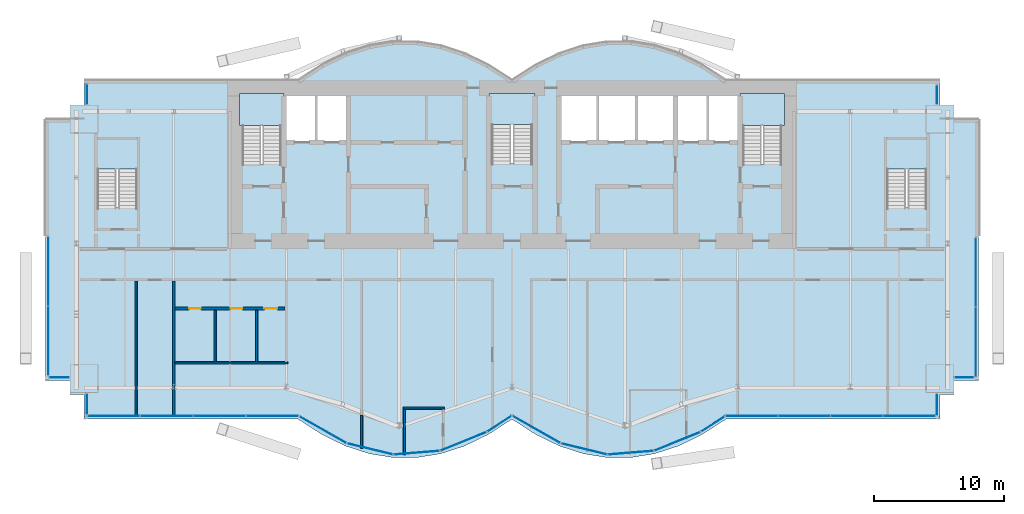
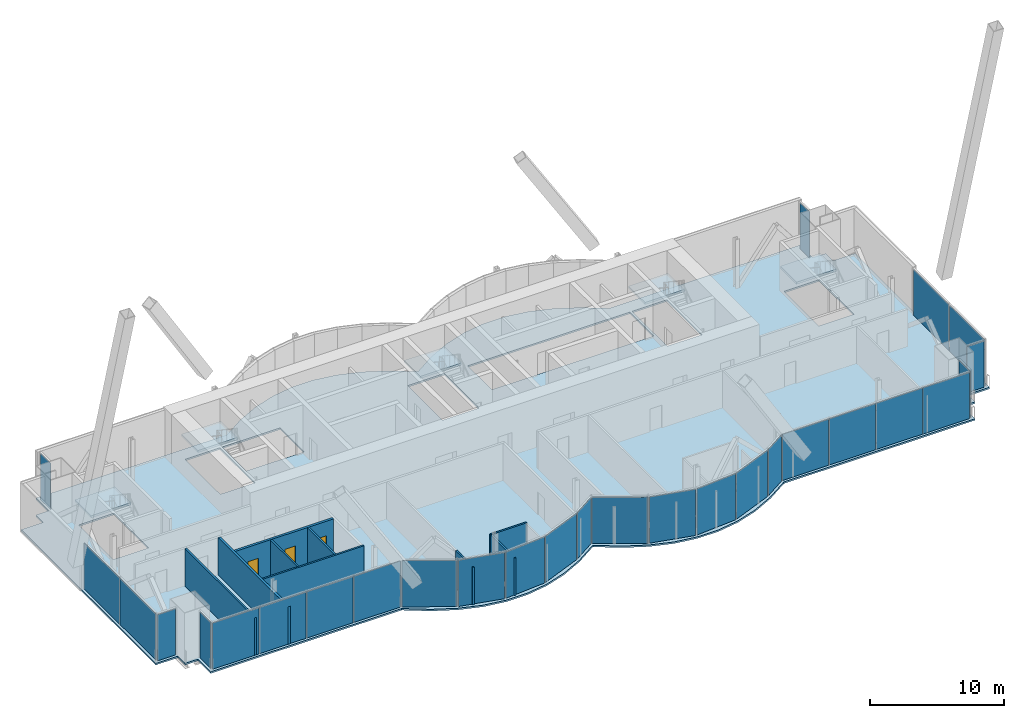
# One storey, part 15 of 22: 28 plates, 9 walls, 6 slabs, 3 doors, 3 openings, 17 elements without a shape of their own.
"""IFC4 building model written with IfcOpenShell, lengths in metres."""

from ifc_helpers import new_model, si_unit, direction, frame, frame_2d, origin, origin_2d, place, context, subcontext, project, spatial, polyline, rectangle, outline, extrude, material, layer, layer_set, type_object, element, fill, aggregate, save


model = new_model("IFC4")

# Units and contexts
model_context = context("Model", 3, precision=1e-05, world=origin(), true_north=direction((0.0, 1.0)))
body_context = subcontext(model_context, "Body", "Model", "MODEL_VIEW")
ifc_project = project(units=[si_unit("LENGTHUNIT", "METRE"), si_unit("AREAUNIT", "SQUARE_METRE"), si_unit("VOLUMEUNIT", "CUBIC_METRE"), si_unit("PLANEANGLEUNIT", "RADIAN"), si_unit("MASSUNIT", "GRAM", prefix="KILO")], contexts=[model_context])

# Site, building, storey
site_placement = place(None, origin())
site = spatial("IfcSite", under=ifc_project, at=site_placement, CompositionType="ELEMENT")
building_placement = place(site_placement, origin())
building = spatial("IfcBuilding", under=site, at=building_placement, Name="Bicima Exchange Tower", CompositionType="ELEMENT")
storey_placement = place(building_placement, frame((0.0, 0.0, 315.5)))
storey = spatial("IfcBuildingStorey", under=building, at=storey_placement, Name="L71", CompositionType="ELEMENT", Elevation=315.5)

# Slab
ifc_material_1 = material(Name="Concrete C40/50", Category="concrete")
ifc_layer_1 = layer(ifc_material_1, 0.14990234375)
ifc_layer_set_1 = layer_set([ifc_layer_1], Name="Concrete C40/50")
slab_type_1 = type_object("IfcSlabType", Name="Composite floor slab 150", PredefinedType="FLOOR", material=ifc_layer_set_1)
slab_1_placement = place(storey_placement, frame((0.0, 0.0, -0.14990234375)))
element("IfcSlab", 1, at=slab_1_placement, inside=storey, type_object=slab_type_1, Name="Floor slab", PredefinedType="FLOOR", context=body_context, shape_type="SweptSolid", body=[
    extrude(outline(polyline([(-36.0, -23.139892578125), (-36.0, -3.0), (-34.10009765625, -3.0), (-34.10009765625, -1.89990234375), (-33.0, -1.89990234375), (-33.0, 0.0), (-16.5, 0.0), (-14.666748046875, 1.185302734375), (-12.833251953125, 2.07421875), (-11.0, 2.666748046875), (-9.166748046875, 2.962890625), (-7.333251953125, 2.962890625), (-5.5, 2.666748046875), (-3.666748046875, 2.07421875), (-1.833251953125, 1.185302734375), (0.0, 0.0), (1.833251953125, 1.185302734375), (3.666748046875, 2.07421875), (5.5, 2.666748046875), (7.333251953125, 2.962890625), (9.166748046875, 2.962890625), (11.0, 2.666748046875), (12.833251953125, 2.07421875), (14.666748046875, 1.185302734375), (16.5, 0.0), (33.0, 0.0), (33.0, -1.89990234375), (34.10009765625, -1.89990234375), (34.10009765625, -3.0), (36.0, -3.0), (36.0, -23.139892578125), (34.10009765625, -23.139892578125), (34.10009765625, -24.239990234375), (33.0, -24.239990234375), (33.0, -26.139892578125), (16.5, -26.139892578125), (14.666748046875, -27.3251953125), (12.833251953125, -28.214111328125), (11.0, -28.806640625), (9.166748046875, -29.10302734375), (7.333251953125, -29.10302734375), (5.5, -28.806640625), (3.666748046875, -28.214111328125), (1.833251953125, -27.3251953125), (0.0, -26.139892578125), (-1.833251953125, -27.3251953125), (-3.666748046875, -28.214111328125), (-5.5, -28.806640625), (-7.333251953125, -29.10302734375), (-9.166748046875, -29.10302734375), (-11.0, -28.806640625), (-12.833251953125, -28.214111328125), (-14.666748046875, -27.3251953125), (-16.5, -26.139892578125), (-33.0, -26.139892578125), (-33.0, -24.239990234375), (-34.10009765625, -24.239990234375), (-34.10009765625, -23.139892578125), (-36.0, -23.139892578125)]), holes=[polyline([(-28.925048828125, -9.824951171875), (-28.925048828125, -4.625), (-31.97509765625, -4.625), (-31.97509765625, -9.824951171875), (-28.925048828125, -9.824951171875)]), polyline([(-20.800048828125, -6.449951171875), (-17.800048828125, -6.449951171875), (-17.800048828125, -1.199951171875), (-20.800048828125, -1.199951171875), (-20.800048828125, -6.449951171875)]), polyline([(-1.574951171875, -6.39990234375), (1.574951171875, -6.39990234375), (1.574951171875, -1.199951171875), (-1.574951171875, -1.199951171875), (-1.574951171875, -6.39990234375)]), polyline([(-12.60009765625, -1.199951171875), (-15.10009765625, -1.199951171875), (-17.60009765625, -1.199951171875), (-17.60009765625, -4.800048828125), (-15.10009765625, -4.800048828125), (-12.60009765625, -4.800048828125), (-12.60009765625, -1.199951171875)]), polyline([(3.60009765625, -4.800048828125), (6.60009765625, -4.800048828125), (9.60009765625, -4.800048828125), (12.60009765625, -4.800048828125), (15.10009765625, -4.800048828125), (17.60009765625, -4.800048828125), (17.60009765625, -1.199951171875), (15.10009765625, -1.199951171875), (12.60009765625, -1.199951171875), (9.60009765625, -1.199951171875), (6.60009765625, -1.199951171875), (3.60009765625, -1.199951171875), (3.60009765625, -4.800048828125)]), polyline([(31.97509765625, -9.824951171875), (31.97509765625, -4.625), (28.925048828125, -4.625), (28.925048828125, -9.824951171875), (31.97509765625, -9.824951171875)]), polyline([(17.800048828125, -6.449951171875), (20.800048828125, -6.449951171875), (20.800048828125, -1.199951171875), (17.800048828125, -1.199951171875), (17.800048828125, -6.449951171875)])]), origin(), (0.0, 0.0, 1.0), 0.14990234375),
])

# Curtain wall, plate
ifc_material_2 = material(Name="Anodised bronze aluminium", Category="aluminium")
curtain_wall_type_1 = type_object("IfcCurtainWallType", Name="End face glass wall", PredefinedType="NOTDEFINED", material=ifc_material_2)
curtain_wall_1_placement = place(storey_placement, origin())
curtain_wall_1 = element("IfcCurtainWall", 2, at=curtain_wall_1_placement, inside=storey, type_object=curtain_wall_type_1, Name="End face glass wall L71 run 2", PredefinedType="NOTDEFINED")
ifc_material_3 = material(Name="Bronze tinted glass", Category="glass")
ifc_layer_2 = layer(ifc_material_3, 0.031982421875)
ifc_layer_set_2 = layer_set([ifc_layer_2], Name="Bronze tinted glass")
plate_type_1 = type_object("IfcPlateType", Name="End face glass wall glass panel 32", PredefinedType="CURTAIN_PANEL", material=ifc_layer_set_2)
plate_1_placement = place(storey_placement, frame((-35.77001953125, -20.107421875, 0.0), z_axis=(0.0, 0.0, 1.0), x_axis=(0.0, -1.0, 0.0)))
plate_1 = element("IfcPlate", 3, at=plate_1_placement, type_object=plate_type_1, Name="End face glass wall panel 2.1", PredefinedType="CURTAIN_PANEL", context=body_context, shape_type="SweptSolid", body=[
    extrude(rectangle(XDim=5.324951171875, YDim=0.031982421875, at=origin_2d()), origin(), (0.0, 0.0, 1.0), 4.2099609375),
])

curtain_wall_2_placement = place(storey_placement, origin())
curtain_wall_2 = element("IfcCurtainWall", 4, at=curtain_wall_2_placement, inside=storey, type_object=curtain_wall_type_1, Name="End face glass wall L71 run 19", PredefinedType="NOTDEFINED")
plate_2_placement = place(storey_placement, frame((35.77001953125, -20.1875, 0.0), z_axis=(0.0, 0.0, 1.0), x_axis=(0.0, 1.0, 0.0)))
plate_2 = element("IfcPlate", 5, at=plate_2_placement, type_object=plate_type_1, Name="End face glass wall panel 1.1", PredefinedType="CURTAIN_PANEL", context=body_context, shape_type="SweptSolid", body=[
    extrude(rectangle(XDim=5.324951171875, YDim=0.031982421875, at=origin_2d()), origin(), (0.0, 0.0, 1.0), 4.2099609375),
])

# Plate
ifc_material_4 = material(Name="Bronze anodised aluminium", Category="aluminium")
ifc_layer_3 = layer(ifc_material_4, 0.031982421875)
ifc_layer_set_3 = layer_set([ifc_layer_3], Name="Bronze anodised aluminium")
plate_type_2 = type_object("IfcPlateType", Name="End face glass wall spandrel panel 32", PredefinedType="CURTAIN_PANEL", material=ifc_layer_set_3)
plate_3_placement = place(storey_placement, frame((-35.77001953125, -14.722412109375, 0.0), z_axis=(0.0, 0.0, 1.0), x_axis=(0.0, -1.0, 0.0)))
plate_3 = element("IfcPlate", 6, at=plate_3_placement, type_object=plate_type_2, Name="End face spandrel wall panel 1.1", PredefinedType="CURTAIN_PANEL", context=body_context, shape_type="SweptSolid", body=[
    extrude(rectangle(XDim=5.324951171875, YDim=0.031982421875, at=origin_2d()), origin(), (0.0, 0.0, 1.0), 4.2099609375),
])

aggregate(curtain_wall_1, [plate_3, plate_1])

plate_4_placement = place(storey_placement, frame((35.77001953125, -14.802490234375, 0.0), z_axis=(0.0, 0.0, 1.0), x_axis=(0.0, 1.0, 0.0)))
plate_4 = element("IfcPlate", 7, at=plate_4_placement, type_object=plate_type_2, Name="End face spandrel wall panel 2.1", PredefinedType="CURTAIN_PANEL", context=body_context, shape_type="SweptSolid", body=[
    extrude(rectangle(XDim=5.324951171875, YDim=0.031982421875, at=origin_2d()), origin(), (0.0, 0.0, 1.0), 4.2099609375),
])

aggregate(curtain_wall_2, [plate_2, plate_4])

# Curtain wall, plate
curtain_wall_type_2 = type_object("IfcCurtainWallType", Name="Front glass wall", PredefinedType="NOTDEFINED", material=ifc_material_2)
curtain_wall_3_placement = place(storey_placement, origin())
curtain_wall_3 = element("IfcCurtainWall", 8, at=curtain_wall_3_placement, inside=storey, type_object=curtain_wall_type_2, Name="Front glass wall L71 run 1", PredefinedType="NOTDEFINED")
ifc_layer_4 = layer(ifc_material_3, 0.031982421875)
ifc_layer_set_4 = layer_set([ifc_layer_4], Name="Bronze tinted glass")
plate_type_3 = type_object("IfcPlateType", Name="Front glass wall glass panel 32", PredefinedType="CURTAIN_PANEL", material=ifc_layer_set_4)
plate_5_placement = place(storey_placement, frame((-32.77001953125, -1.06494140625, 0.0), z_axis=(0.0, 0.0, 1.0), x_axis=(0.0, -1.0, 0.0)))
plate_5 = element("IfcPlate", 9, at=plate_5_placement, type_object=plate_type_3, Name="Front glass wall panel 1.1", PredefinedType="CURTAIN_PANEL", context=body_context, shape_type="SweptSolid", body=[
    extrude(rectangle(XDim=1.550048828125, YDim=0.031982421875, at=origin_2d()), origin(), (0.0, 0.0, 1.0), 4.2099609375),
])
aggregate(curtain_wall_3, [plate_5])

curtain_wall_4_placement = place(storey_placement, origin())
curtain_wall_4 = element("IfcCurtainWall", 10, at=curtain_wall_4_placement, inside=storey, type_object=curtain_wall_type_2, Name="Front glass wall L71 run 3", PredefinedType="NOTDEFINED")
plate_6_placement = place(storey_placement, frame((-34.93505859375, -22.909912109375, 0.0), z_axis=(0.0, 0.0, 1.0), x_axis=(1.0, 0.0, 0.0)))
plate_6 = element("IfcPlate", 11, at=plate_6_placement, type_object=plate_type_3, Name="Front glass wall panel 1.1", PredefinedType="CURTAIN_PANEL", context=body_context, shape_type="SweptSolid", body=[
    extrude(rectangle(XDim=1.550048828125, YDim=0.031982421875, at=origin_2d()), origin(), (0.0, 0.0, 1.0), 4.2099609375),
])
aggregate(curtain_wall_4, [plate_6])

curtain_wall_5_placement = place(storey_placement, origin())
curtain_wall_5 = element("IfcCurtainWall", 12, at=curtain_wall_5_placement, inside=storey, type_object=curtain_wall_type_2, Name="Front glass wall L71 run 4", PredefinedType="NOTDEFINED")
plate_7_placement = place(storey_placement, frame((-32.77001953125, -24.97412109375, 0.0), z_axis=(0.0, 0.0, 1.0), x_axis=(0.0, -1.0, 0.0)))
plate_7 = element("IfcPlate", 13, at=plate_7_placement, type_object=plate_type_3, Name="Front glass wall panel 1.1", PredefinedType="CURTAIN_PANEL", context=body_context, shape_type="SweptSolid", body=[
    extrude(rectangle(XDim=1.592041015625, YDim=0.031982421875, at=origin_2d()), origin(), (0.0, 0.0, 1.0), 4.2099609375),
])
aggregate(curtain_wall_5, [plate_7])

# Curtain wall, plates
curtain_wall_6_placement = place(storey_placement, origin())
curtain_wall_6 = element("IfcCurtainWall", 14, at=curtain_wall_6_placement, inside=storey, type_object=curtain_wall_type_2, Name="Front glass wall L71 run 5", PredefinedType="NOTDEFINED")
plate_8_placement = place(storey_placement, frame((-30.705322265625, -25.909912109375, 0.0), z_axis=(0.0, 0.0, 1.0), x_axis=(1.0, 0.0, 0.0)))
plate_8 = element("IfcPlate", 15, at=plate_8_placement, type_object=plate_type_3, Name="Front glass wall panel 1.1", PredefinedType="CURTAIN_PANEL", context=body_context, shape_type="SweptSolid", body=[
    extrude(rectangle(XDim=4.009521484375, YDim=0.031982421875, at=origin_2d()), origin(), (0.0, 0.0, 1.0), 4.2099609375),
])
plate_9_placement = place(storey_placement, frame((-26.6357421875, -25.909912109375, 0.0), z_axis=(0.0, 0.0, 1.0), x_axis=(1.0, 0.0, 0.0)))
plate_9 = element("IfcPlate", 16, at=plate_9_placement, type_object=plate_type_3, Name="Front glass wall panel 2.1", PredefinedType="CURTAIN_PANEL", context=body_context, shape_type="SweptSolid", body=[
    extrude(rectangle(XDim=4.009521484375, YDim=0.031982421875, at=origin_2d()), origin(), (0.0, 0.0, 1.0), 4.2099609375),
])
plate_10_placement = place(storey_placement, frame((-22.56640625, -25.909912109375, 0.0), z_axis=(0.0, 0.0, 1.0), x_axis=(1.0, 0.0, 0.0)))
plate_10 = element("IfcPlate", 17, at=plate_10_placement, type_object=plate_type_3, Name="Front glass wall panel 3.1", PredefinedType="CURTAIN_PANEL", context=body_context, shape_type="SweptSolid", body=[
    extrude(rectangle(XDim=4.009521484375, YDim=0.031982421875, at=origin_2d()), origin(), (0.0, 0.0, 1.0), 4.2099609375),
])
plate_11_placement = place(storey_placement, frame((-18.496826171875, -25.909912109375, 0.0), z_axis=(0.0, 0.0, 1.0), x_axis=(1.0, 0.0, 0.0)))
plate_11 = element("IfcPlate", 18, at=plate_11_placement, type_object=plate_type_3, Name="Front glass wall panel 4.1", PredefinedType="CURTAIN_PANEL", context=body_context, shape_type="SweptSolid", body=[
    extrude(rectangle(XDim=4.009521484375, YDim=0.031982421875, at=origin_2d()), origin(), (0.0, 0.0, 1.0), 4.2099609375),
])
aggregate(curtain_wall_6, [plate_8, plate_9, plate_10, plate_11])

curtain_wall_7_placement = place(storey_placement, origin())
curtain_wall_7 = element("IfcCurtainWall", 19, at=curtain_wall_7_placement, inside=storey, type_object=curtain_wall_type_2, Name="Front glass wall L71 run 6", PredefinedType="NOTDEFINED")
plate_12_placement = place(storey_placement, frame((-14.589599609375, -26.955078125, 0.0), z_axis=(0.0, 0.0, 1.0), x_axis=(0.869805110681, -0.493395449343, 0.0)))
plate_12 = element("IfcPlate", 20, at=plate_12_placement, type_object=plate_type_3, Name="Front glass wall panel 1.1", PredefinedType="CURTAIN_PANEL", context=body_context, shape_type="SweptSolid", body=[
    extrude(rectangle(XDim=4.1162109375, YDim=0.031982421875, at=origin_2d()), origin(), (0.0, 0.0, 1.0), 4.2099609375),
])
plate_13_placement = place(storey_placement, frame((-10.94775390625, -28.4365234375, 0.0), z_axis=(0.0, 0.0, 1.0), x_axis=(0.971830343553, -0.235681529503, 0.0)))
plate_13 = element("IfcPlate", 21, at=plate_13_placement, type_object=plate_type_3, Name="Front glass wall panel 1.1", PredefinedType="CURTAIN_PANEL", context=body_context, shape_type="SweptSolid", body=[
    extrude(rectangle(XDim=3.583251953125, YDim=0.031982421875, at=origin_2d()), origin(), (0.0, 0.0, 1.0), 4.2099609375),
])
plate_14_placement = place(storey_placement, frame((-7.35107421875, -28.727783203125, 0.0), z_axis=(0.0, 0.0, 1.0), x_axis=(0.99674744821, 0.080588612633, 0.0)))
plate_14 = element("IfcPlate", 22, at=plate_14_placement, type_object=plate_type_3, Name="Front glass wall panel 1.1", PredefinedType="CURTAIN_PANEL", context=body_context, shape_type="SweptSolid", body=[
    extrude(rectangle(XDim=3.486083984375, YDim=0.031982421875, at=origin_2d()), origin(), (0.0, 0.0, 1.0), 4.2099609375),
])
plate_15_placement = place(storey_placement, frame((-3.750244140625, -27.853515625, 0.0), z_axis=(0.0, 0.0, 1.0), x_axis=(0.92714396679, 0.374705304, 0.0)))
plate_15 = element("IfcPlate", 23, at=plate_15_placement, type_object=plate_type_3, Name="Front glass wall panel 1.1", PredefinedType="CURTAIN_PANEL", context=body_context, shape_type="SweptSolid", body=[
    extrude(rectangle(XDim=3.771240234375, YDim=0.031982421875, at=origin_2d()), origin(), (0.0, 0.0, 1.0), 4.2099609375),
])
plate_16_placement = place(storey_placement, frame((-0.97314453125, -26.4951171875, 0.0), z_axis=(0.0, 0.0, 1.0), x_axis=(0.839798994301, 0.542897457326, 0.0)))
plate_16 = element("IfcPlate", 24, at=plate_16_placement, type_object=plate_type_3, Name="Front glass wall panel 1.1", PredefinedType="CURTAIN_PANEL", context=body_context, shape_type="SweptSolid", body=[
    extrude(rectangle(XDim=2.197509765625, YDim=0.031982421875, at=origin_2d()), origin(), (0.0, 0.0, 1.0), 4.2099609375),
])
aggregate(curtain_wall_7, [plate_12, plate_13, plate_14, plate_15, plate_16])

curtain_wall_8_placement = place(storey_placement, origin())
curtain_wall_8 = element("IfcCurtainWall", 25, at=curtain_wall_8_placement, inside=storey, type_object=curtain_wall_type_2, Name="Front glass wall L71 run 11", PredefinedType="NOTDEFINED")
plate_17_placement = place(storey_placement, frame((1.876220703125, -26.93310546875, 0.0), z_axis=(0.0, 0.0, 1.0), x_axis=(0.869274147378, -0.494330311331, 0.0)))
plate_17 = element("IfcPlate", 26, at=plate_17_placement, type_object=plate_type_3, Name="Front glass wall panel 1.1", PredefinedType="CURTAIN_PANEL", context=body_context, shape_type="SweptSolid", body=[
    extrude(rectangle(XDim=4.197021484375, YDim=0.031982421875, at=origin_2d()), origin(), (0.0, 0.0, 1.0), 4.2099609375),
])
plate_18_placement = place(storey_placement, frame((5.55224609375, -28.4365234375, 0.0), z_axis=(0.0, 0.0, 1.0), x_axis=(0.971830343553, -0.235681529503, 0.0)))
plate_18 = element("IfcPlate", 27, at=plate_18_placement, type_object=plate_type_3, Name="Front glass wall panel 1.1", PredefinedType="CURTAIN_PANEL", context=body_context, shape_type="SweptSolid", body=[
    extrude(rectangle(XDim=3.583251953125, YDim=0.031982421875, at=origin_2d()), origin(), (0.0, 0.0, 1.0), 4.2099609375),
])
plate_19_placement = place(storey_placement, frame((9.14892578125, -28.727783203125, 0.0), z_axis=(0.0, 0.0, 1.0), x_axis=(0.99674744821, 0.080588612633, 0.0)))
plate_19 = element("IfcPlate", 28, at=plate_19_placement, type_object=plate_type_3, Name="Front glass wall panel 1.1", PredefinedType="CURTAIN_PANEL", context=body_context, shape_type="SweptSolid", body=[
    extrude(rectangle(XDim=3.486083984375, YDim=0.031982421875, at=origin_2d()), origin(), (0.0, 0.0, 1.0), 4.2099609375),
])
plate_20_placement = place(storey_placement, frame((12.749755859375, -27.853515625, 0.0), z_axis=(0.0, 0.0, 1.0), x_axis=(0.92714396679, 0.374705304, 0.0)))
plate_20 = element("IfcPlate", 29, at=plate_20_placement, type_object=plate_type_3, Name="Front glass wall panel 1.1", PredefinedType="CURTAIN_PANEL", context=body_context, shape_type="SweptSolid", body=[
    extrude(rectangle(XDim=3.771240234375, YDim=0.031982421875, at=origin_2d()), origin(), (0.0, 0.0, 1.0), 4.2099609375),
])
plate_21_placement = place(storey_placement, frame((15.492919921875, -26.51708984375, 0.0), z_axis=(0.0, 0.0, 1.0), x_axis=(0.839791413941, 0.542909183079, 0.0)))
plate_21 = element("IfcPlate", 30, at=plate_21_placement, type_object=plate_type_3, Name="Front glass wall panel 1.1", PredefinedType="CURTAIN_PANEL", context=body_context, shape_type="SweptSolid", body=[
    extrude(rectangle(XDim=2.11669921875, YDim=0.031982421875, at=origin_2d()), origin(), (0.0, 0.0, 1.0), 4.2099609375),
])
aggregate(curtain_wall_8, [plate_17, plate_18, plate_19, plate_20, plate_21])

curtain_wall_9_placement = place(storey_placement, origin())
curtain_wall_9 = element("IfcCurtainWall", 31, at=curtain_wall_9_placement, inside=storey, type_object=curtain_wall_type_2, Name="Front glass wall L71 run 16", PredefinedType="NOTDEFINED")
plate_22_placement = place(storey_placement, frame((18.48681640625, -25.909912109375, 0.0), z_axis=(0.0, 0.0, 1.0), x_axis=(1.0, 0.0, 0.0)))
plate_22 = element("IfcPlate", 32, at=plate_22_placement, type_object=plate_type_3, Name="Front glass wall panel 1.1", PredefinedType="CURTAIN_PANEL", context=body_context, shape_type="SweptSolid", body=[
    extrude(rectangle(XDim=3.989501953125, YDim=0.031982421875, at=origin_2d()), origin(), (0.0, 0.0, 1.0), 4.2099609375),
])
plate_23_placement = place(storey_placement, frame((22.536376953125, -25.909912109375, 0.0), z_axis=(0.0, 0.0, 1.0), x_axis=(1.0, 0.0, 0.0)))
plate_23 = element("IfcPlate", 33, at=plate_23_placement, type_object=plate_type_3, Name="Front glass wall panel 2.1", PredefinedType="CURTAIN_PANEL", context=body_context, shape_type="SweptSolid", body=[
    extrude(rectangle(XDim=3.989501953125, YDim=0.031982421875, at=origin_2d()), origin(), (0.0, 0.0, 1.0), 4.2099609375),
])
plate_24_placement = place(storey_placement, frame((26.585693359375, -25.909912109375, 0.0), z_axis=(0.0, 0.0, 1.0), x_axis=(1.0, 0.0, 0.0)))
plate_24 = element("IfcPlate", 34, at=plate_24_placement, type_object=plate_type_3, Name="Front glass wall panel 3.1", PredefinedType="CURTAIN_PANEL", context=body_context, shape_type="SweptSolid", body=[
    extrude(rectangle(XDim=3.989501953125, YDim=0.031982421875, at=origin_2d()), origin(), (0.0, 0.0, 1.0), 4.2099609375),
])
plate_25_placement = place(storey_placement, frame((30.63525390625, -25.909912109375, 0.0), z_axis=(0.0, 0.0, 1.0), x_axis=(1.0, 0.0, 0.0)))
plate_25 = element("IfcPlate", 35, at=plate_25_placement, type_object=plate_type_3, Name="Front glass wall panel 4.1", PredefinedType="CURTAIN_PANEL", context=body_context, shape_type="SweptSolid", body=[
    extrude(rectangle(XDim=3.989501953125, YDim=0.031982421875, at=origin_2d()), origin(), (0.0, 0.0, 1.0), 4.2099609375),
])
aggregate(curtain_wall_9, [plate_22, plate_23, plate_24, plate_25])

# Curtain wall, plate
curtain_wall_10_placement = place(storey_placement, origin())
curtain_wall_10 = element("IfcCurtainWall", 36, at=curtain_wall_10_placement, inside=storey, type_object=curtain_wall_type_2, Name="Front glass wall L71 run 17", PredefinedType="NOTDEFINED")
plate_26_placement = place(storey_placement, frame((32.77001953125, -25.013916015625, 0.0), z_axis=(0.0, 0.0, 1.0), x_axis=(0.0, 1.0, 0.0)))
plate_26 = element("IfcPlate", 37, at=plate_26_placement, type_object=plate_type_3, Name="Front glass wall panel 1.1", PredefinedType="CURTAIN_PANEL", context=body_context, shape_type="SweptSolid", body=[
    extrude(rectangle(XDim=1.672119140625, YDim=0.031982421875, at=origin_2d()), origin(), (0.0, 0.0, 1.0), 4.2099609375),
])
aggregate(curtain_wall_10, [plate_26])

curtain_wall_11_placement = place(storey_placement, origin())
curtain_wall_11 = element("IfcCurtainWall", 38, at=curtain_wall_11_placement, inside=storey, type_object=curtain_wall_type_2, Name="Front glass wall L71 run 18", PredefinedType="NOTDEFINED")
plate_27_placement = place(storey_placement, frame((34.89501953125, -22.909912109375, 0.0), z_axis=(0.0, 0.0, 1.0), x_axis=(1.0, 0.0, 0.0)))
plate_27 = element("IfcPlate", 39, at=plate_27_placement, type_object=plate_type_3, Name="Front glass wall panel 1.1", PredefinedType="CURTAIN_PANEL", context=body_context, shape_type="SweptSolid", body=[
    extrude(rectangle(XDim=1.469970703125, YDim=0.031982421875, at=origin_2d()), origin(), (0.0, 0.0, 1.0), 4.2099609375),
])
aggregate(curtain_wall_11, [plate_27])

curtain_wall_12_placement = place(storey_placement, origin())
curtain_wall_12 = element("IfcCurtainWall", 40, at=curtain_wall_12_placement, inside=storey, type_object=curtain_wall_type_2, Name="Front glass wall L71 run 20", PredefinedType="NOTDEFINED")
plate_28_placement = place(storey_placement, frame((32.77001953125, -1.10498046875, 0.0), z_axis=(0.0, 0.0, 1.0), x_axis=(0.0, 1.0, 0.0)))
plate_28 = element("IfcPlate", 41, at=plate_28_placement, type_object=plate_type_3, Name="Front glass wall panel 1.1", PredefinedType="CURTAIN_PANEL", context=body_context, shape_type="SweptSolid", body=[
    extrude(rectangle(XDim=1.469970703125, YDim=0.031982421875, at=origin_2d()), origin(), (0.0, 0.0, 1.0), 4.2099609375),
])
aggregate(curtain_wall_12, [plate_28])

# Stair, slab
ifc_material_5 = material(Name="Concrete C50/60", Category="concrete")
stair_type_1 = type_object("IfcStairType", Name="Exit stair", PredefinedType="HALF_TURN_STAIR", material=ifc_material_5)
stair_1_placement = place(storey_placement, origin())
stair_1 = element("IfcStair", 42, at=stair_1_placement, inside=storey, type_object=stair_type_1, Name="L71 West exit stair", PredefinedType="HALF_TURN_STAIR")
ifc_layer_5 = layer(ifc_material_5, 0.199951171875)
ifc_layer_set_5 = layer_set([ifc_layer_5], Name="Concrete C50/60")
slab_type_2 = type_object("IfcSlabType", Name="Stair landing slab", PredefinedType="LANDING", material=ifc_layer_set_5)
slab_2_placement = place(storey_placement, frame((0.0, 0.0, 2.050048828125)))
slab_2 = element("IfcSlab", 43, at=slab_2_placement, type_object=slab_type_2, Name="ST-W landing 1", PredefinedType="LANDING", context=body_context, shape_type="SweptSolid", body=[
    extrude(outline(polyline([(-17.60009765625, -3.469970703125), (-17.60009765625, -1.0), (-21.0, -1.0), (-21.0, -3.469970703125), (-17.60009765625, -3.469970703125)])), origin(), (0.0, 0.0, 1.0), 0.199951171875),
])
aggregate(stair_1, [slab_2])

stair_type_2 = type_object("IfcStairType", Name="Exit stair 1500", PredefinedType="HALF_TURN_STAIR", material=ifc_material_5)
stair_2_placement = place(storey_placement, origin())
stair_2 = element("IfcStair", 44, at=stair_2_placement, inside=storey, type_object=stair_type_2, Name="L71 Central exit stair", PredefinedType="HALF_TURN_STAIR")
slab_3_placement = place(storey_placement, frame((0.0, 0.0, 2.050048828125)))
slab_3 = element("IfcSlab", 45, at=slab_3_placement, type_object=slab_type_2, Name="ST-C landing 1", PredefinedType="LANDING", context=body_context, shape_type="SweptSolid", body=[
    extrude(outline(polyline([(1.77490234375, -3.419921875), (1.77490234375, -1.0), (-1.77490234375, -1.0), (-1.77490234375, -3.419921875), (1.77490234375, -3.419921875)])), origin(), (0.0, 0.0, 1.0), 0.199951171875),
])
aggregate(stair_2, [slab_3])

stair_3_placement = place(storey_placement, origin())
stair_3 = element("IfcStair", 46, at=stair_3_placement, inside=storey, type_object=stair_type_1, Name="L71 East exit stair", PredefinedType="HALF_TURN_STAIR")
slab_4_placement = place(storey_placement, frame((0.0, 0.0, 2.050048828125)))
slab_4 = element("IfcSlab", 47, at=slab_4_placement, type_object=slab_type_2, Name="ST-E landing 1", PredefinedType="LANDING", context=body_context, shape_type="SweptSolid", body=[
    extrude(outline(polyline([(21.0, -3.469970703125), (21.0, -1.0), (17.60009765625, -1.0), (17.60009765625, -3.469970703125), (21.0, -3.469970703125)])), origin(), (0.0, 0.0, 1.0), 0.199951171875),
])
aggregate(stair_3, [slab_4])

stair_4_placement = place(storey_placement, origin())
stair_4 = element("IfcStair", 48, at=stair_4_placement, inside=storey, type_object=stair_type_1, Name="L71 West end exit stair", PredefinedType="HALF_TURN_STAIR")
slab_5_placement = place(storey_placement, frame((0.0, 0.0, 2.050048828125)))
slab_5 = element("IfcSlab", 49, at=slab_5_placement, type_object=slab_type_2, Name="ST-WW landing 1", PredefinedType="LANDING", context=body_context, shape_type="SweptSolid", body=[
    extrude(outline(polyline([(-28.72509765625, -6.844970703125), (-28.72509765625, -4.425048828125), (-32.175048828125, -4.425048828125), (-32.175048828125, -6.844970703125), (-28.72509765625, -6.844970703125)])), origin(), (0.0, 0.0, 1.0), 0.199951171875),
])
aggregate(stair_4, [slab_5])

stair_5_placement = place(storey_placement, origin())
stair_5 = element("IfcStair", 50, at=stair_5_placement, inside=storey, type_object=stair_type_1, Name="L71 East end exit stair", PredefinedType="HALF_TURN_STAIR")
slab_6_placement = place(storey_placement, frame((0.0, 0.0, 2.050048828125)))
slab_6 = element("IfcSlab", 51, at=slab_6_placement, type_object=slab_type_2, Name="ST-EE landing 1", PredefinedType="LANDING", context=body_context, shape_type="SweptSolid", body=[
    extrude(outline(polyline([(32.175048828125, -6.844970703125), (32.175048828125, -4.425048828125), (28.72509765625, -4.425048828125), (28.72509765625, -6.844970703125), (32.175048828125, -6.844970703125)])), origin(), (0.0, 0.0, 1.0), 0.199951171875),
])
aggregate(stair_5, [slab_6])

# Wall, openings, doors
ifc_material_6 = material(Name="Gypsum board partition")
ifc_layer_6 = layer(ifc_material_6, 0.199951171875)
ifc_layer_set_6 = layer_set([ifc_layer_6], Name="Gypsum board partition")
wall_type_1 = type_object("IfcWallType", Name="Fire-rated gypsum partition 200 EI60", PredefinedType="PARTITIONING", material=ifc_layer_set_6)
wall_1_placement = place(storey_placement, frame((-26.0, -17.60009765625, 0.0), z_axis=(0.0, 0.0, 1.0), x_axis=(1.0, 0.0, 0.0)))
wall_1 = element("IfcWall", 52, at=wall_1_placement, inside=storey, type_object=wall_type_1, Name="partition wall 4", PredefinedType="PARTITIONING", context=body_context, shape_type="SweptSolid", body=[
    extrude(rectangle(XDim=8.5, YDim=0.199951171875, at=frame_2d((4.25, 0.0))), origin(), (0.0, 0.0, 1.0), 3.418212890625),
])
opening_1_placement = place(wall_1_placement, frame((1.10009765625, 0.0, 0.0)))
opening_1 = element("IfcOpeningElement", 53, at=opening_1_placement, cuts=wall_1, Name="Opening L71-010", PredefinedType="OPENING", context=body_context, shape_type="SweptSolid", body=[
    extrude(rectangle(XDim=0.89990234375, YDim=2.10009765625, at=frame_2d((0.449951171875, 1.050048828125))), frame((0.0, 0.11181640625, 0.0), z_axis=(0.0, -1.0, 0.0), x_axis=(1.0, 0.0, 0.0)), (0.0, 0.0, 1.0), 0.223876953125),
])
opening_2_placement = place(wall_1_placement, frame((4.300048828125, 0.0, 0.0)))
opening_2 = element("IfcOpeningElement", 54, at=opening_2_placement, cuts=wall_1, Name="Opening L71-011", PredefinedType="OPENING", context=body_context, shape_type="SweptSolid", body=[
    extrude(rectangle(XDim=0.89990234375, YDim=2.10009765625, at=frame_2d((0.449951171875, 1.050048828125))), frame((0.0, 0.11181640625, 0.0), z_axis=(0.0, -1.0, 0.0), x_axis=(1.0, 0.0, 0.0)), (0.0, 0.0, 1.0), 0.223876953125),
])
opening_3_placement = place(wall_1_placement, frame((6.89990234375, 0.0, 0.0)))
opening_3 = element("IfcOpeningElement", 55, at=opening_3_placement, cuts=wall_1, Name="Opening L71-012", PredefinedType="OPENING", context=body_context, shape_type="SweptSolid", body=[
    extrude(rectangle(XDim=1.0, YDim=2.10009765625, at=frame_2d((0.5, 1.050048828125))), frame((0.0, 0.11181640625, 0.0), z_axis=(0.0, -1.0, 0.0), x_axis=(1.0, 0.0, 0.0)), (0.0, 0.0, 1.0), 0.223876953125),
])
ifc_material_7 = material(Name="Steel fire door leaf", Category="steel")
door_type_1 = type_object("IfcDoorType", Name="Door 1000 swing FD30S", OperationType="SINGLE_SWING_LEFT", PredefinedType="DOOR", material=ifc_material_7)
door_1_placement = place(opening_3_placement, frame((1.0, 0.0, 0.0), z_axis=(0.0, 0.0, 1.0), x_axis=(-1.0, 0.0, 0.0)))
door_1 = element("IfcDoor", 56, at=door_1_placement, inside=storey, type_object=door_type_1, Name="Door", OperationType="SINGLE_SWING_RIGHT", OverallHeight=2.10009765625, OverallWidth=1.0, PredefinedType="DOOR", context=body_context, shape_type="SweptSolid", body=[
    extrude(rectangle(XDim=1.0, YDim=2.10009765625, at=frame_2d((0.5, 1.050048828125))), frame((0.0, 0.02490234375, 0.0), z_axis=(0.0, -1.0, 0.0), x_axis=(1.0, 0.0, 0.0)), (0.0, 0.0, 1.0), 0.050048828125),
])
fill(opening_3, door_1)
door_type_2 = type_object("IfcDoorType", Name="Door 900 swing FD30S", OperationType="SINGLE_SWING_LEFT", PredefinedType="DOOR", material=ifc_material_7)
door_2_placement = place(opening_1_placement, frame((0.89990234375, 0.0, 0.0), z_axis=(0.0, 0.0, 1.0), x_axis=(-1.0, 0.0, 0.0)))
door_2 = element("IfcDoor", 57, at=door_2_placement, inside=storey, type_object=door_type_2, Name="Door", OperationType="SINGLE_SWING_LEFT", OverallHeight=2.10009765625, OverallWidth=0.89990234375, PredefinedType="DOOR", context=body_context, shape_type="SweptSolid", body=[
    extrude(rectangle(XDim=0.89990234375, YDim=2.10009765625, at=frame_2d((0.449951171875, 1.050048828125))), frame((0.0, 0.02490234375, 0.0), z_axis=(0.0, -1.0, 0.0), x_axis=(1.0, 0.0, 0.0)), (0.0, 0.0, 1.0), 0.050048828125),
])
fill(opening_1, door_2)
door_3_placement = place(opening_2_placement, frame((0.89990234375, 0.0, 0.0), z_axis=(0.0, 0.0, 1.0), x_axis=(-1.0, 0.0, 0.0)))
door_3 = element("IfcDoor", 58, at=door_3_placement, inside=storey, type_object=door_type_2, Name="Door", OperationType="SINGLE_SWING_RIGHT", OverallHeight=2.10009765625, OverallWidth=0.89990234375, PredefinedType="DOOR", context=body_context, shape_type="SweptSolid", body=[
    extrude(rectangle(XDim=0.89990234375, YDim=2.10009765625, at=frame_2d((0.449951171875, 1.050048828125))), frame((0.0, 0.02490234375, 0.0), z_axis=(0.0, -1.0, 0.0), x_axis=(1.0, 0.0, 0.0)), (0.0, 0.0, 1.0), 0.050048828125),
])
fill(opening_2, door_3)

# Walls
wall_2_placement = place(storey_placement, frame((-26.10009765625, -25.929931640625, 0.0), z_axis=(0.0, 0.0, 1.0), x_axis=(0.0, 1.0, 0.0)))
element("IfcWall", 59, at=wall_2_placement, inside=storey, type_object=wall_type_1, Name="partition wall 16", PredefinedType="PARTITIONING", context=body_context, shape_type="SweptSolid", body=[
    extrude(rectangle(XDim=10.429931640625, YDim=0.199951171875, at=frame_2d((5.21484375, 0.0))), origin(), (0.0, 0.0, 1.0), 3.418212890625),
])
ifc_layer_7 = layer(ifc_material_6, 0.14990234375)
ifc_layer_set_7 = layer_set([ifc_layer_7], Name="Gypsum board partition")
wall_type_2 = type_object("IfcWallType", Name="Gypsum partition 150", PredefinedType="PARTITIONING", material=ifc_layer_set_7)
wall_3_placement = place(storey_placement, frame((-8.375, -25.2900390625, 0.0), z_axis=(0.0, 0.0, 1.0), x_axis=(1.0, 0.0, 0.0)))
element("IfcWall", 60, at=wall_3_placement, inside=storey, type_object=wall_type_2, Name="partition wall 1", PredefinedType="PARTITIONING", context=body_context, shape_type="SweptSolid", body=[
    extrude(rectangle(XDim=3.14990234375, YDim=0.14990234375, at=frame_2d((1.574951171875, 0.0))), origin(), (0.0, 0.0, 1.0), 3.418212890625),
])
wall_4_placement = place(storey_placement, frame((-26.0, -21.800048828125, 0.0), z_axis=(0.0, 0.0, 1.0), x_axis=(1.0, 0.0, 0.0)))
element("IfcWall", 61, at=wall_4_placement, inside=storey, type_object=wall_type_2, Name="partition wall 3", PredefinedType="PARTITIONING", context=body_context, shape_type="SweptSolid", body=[
    extrude(rectangle(XDim=8.699951171875, YDim=0.14990234375, at=frame_2d((4.35009765625, 0.0))), origin(), (0.0, 0.0, 1.0), 3.418212890625),
])
wall_5_placement = place(storey_placement, frame((-29.0, -25.929931640625, 0.0), z_axis=(0.0, 0.0, 1.0), x_axis=(0.0, 1.0, 0.0)))
element("IfcWall", 62, at=wall_5_placement, inside=storey, type_object=wall_type_2, Name="partition wall 14", PredefinedType="PARTITIONING", context=body_context, shape_type="SweptSolid", body=[
    extrude(rectangle(XDim=10.429931640625, YDim=0.14990234375, at=frame_2d((5.21484375, 0.0))), origin(), (0.0, 0.0, 1.0), 3.418212890625),
])
for number, where, z_axis, x_axis, name in (
    (63, (-22.89990234375, -21.72509765625, 0.0), (0.0, 0.0, 1.0), (0.0, 1.0, 0.0), "partition wall 17"),
    (64, (-19.699951171875, -21.72509765625, 0.0), (0.0, 0.0, 1.0), (0.0, 1.0, 0.0), "partition wall 18"),
):
    element("IfcWall", number, at=place(storey_placement, frame(where, z_axis=z_axis, x_axis=x_axis)), inside=storey, type_object=wall_type_2, Name=name, PredefinedType="PARTITIONING", context=body_context, shape_type="SweptSolid", body=[
        extrude(rectangle(XDim=4.025146484375, YDim=0.14990234375, at=frame_2d((2.0126953125, 0.0))), origin(), (0.0, 0.0, 1.0), 3.418212890625),
    ])
wall_6_placement = place(storey_placement, frame((-11.60009765625, -28.389892578125, 0.0), z_axis=(0.0, 0.0, 1.0), x_axis=(0.0, 1.0, 0.0)))
element("IfcWall", 65, at=wall_6_placement, inside=storey, type_object=wall_type_2, Name="partition wall 20", PredefinedType="PARTITIONING", context=body_context, shape_type="SweptSolid", body=[
    extrude(rectangle(XDim=2.539794921875, YDim=0.14990234375, at=frame_2d((1.27001953125, 0.0))), origin(), (0.0, 0.0, 1.0), 3.418212890625),
])
wall_7_placement = place(storey_placement, frame((-8.300048828125, -28.889892578125, 0.0), z_axis=(0.0, 0.0, 1.0), x_axis=(0.0, 1.0, 0.0)))
element("IfcWall", 66, at=wall_7_placement, inside=storey, type_object=wall_type_2, Name="partition wall 22", PredefinedType="PARTITIONING", context=body_context, shape_type="SweptSolid", body=[
    extrude(rectangle(XDim=3.52490234375, YDim=0.14990234375, at=frame_2d((1.762451171875, 0.0))), origin(), (0.0, 0.0, 1.0), 3.418212890625),
])

save(model, "model.ifc")
